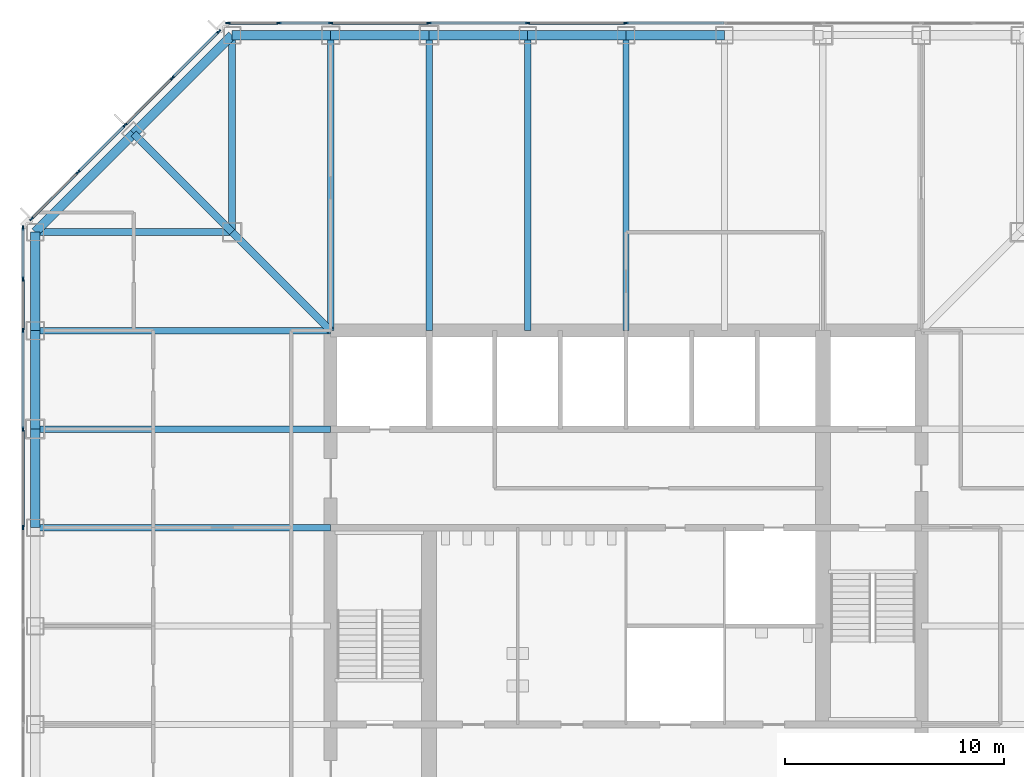
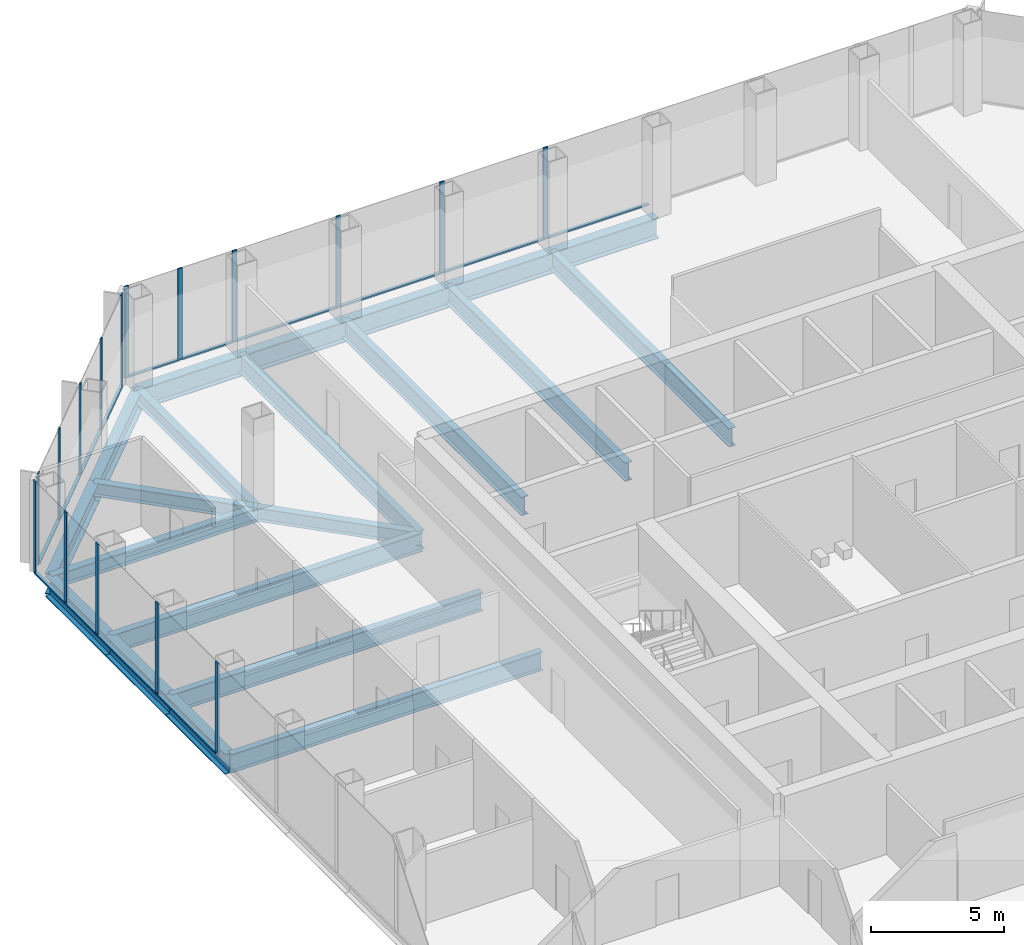
# One storey, part 5 of 12: 30 members, 21 beams, 3 elements without a shape of their own.
"""IFC4 building model written with IfcOpenShell, lengths in metres."""

from ifc_helpers import new_model, si_unit, direction, frame, origin, origin_2d, place, context, subcontext, project, spatial, rectangle, i_section, extrude, material, material_profile, profile_set, type_object, element, aggregate, save


model = new_model("IFC4")

# Units and contexts
model_context = context("Model", 3, precision=1e-05, world=origin(), true_north=direction((0.0, 1.0)))
body_context = subcontext(model_context, "Body", "Model", "MODEL_VIEW")
ifc_project = project(units=[si_unit("LENGTHUNIT", "METRE"), si_unit("AREAUNIT", "SQUARE_METRE"), si_unit("VOLUMEUNIT", "CUBIC_METRE"), si_unit("PLANEANGLEUNIT", "RADIAN"), si_unit("MASSUNIT", "GRAM", prefix="KILO")], contexts=[model_context])

# Site, building, storey
site_placement = place(None, origin())
site = spatial("IfcSite", under=ifc_project, at=site_placement, CompositionType="ELEMENT")
building_placement = place(site_placement, origin())
building = spatial("IfcBuilding", under=site, at=building_placement, Name="Corais Broadcast Tower", CompositionType="ELEMENT")
storey_placement = place(building_placement, frame((0.0, 0.0, 92.0)))
storey = spatial("IfcBuildingStorey", under=building, at=storey_placement, Name="L20", CompositionType="ELEMENT", Elevation=92.0)

# Beams
ifc_material_1 = material(Name="Steel ASTM A572 Grade 50", Category="steel")
ifc_material_profile_1 = material_profile(ifc_material_1, i_section(OverallWidth=0.323974609375, OverallDepth=0.611083984375, WebThickness=0.0126953125, FlangeThickness=0.01904296875, at=origin_2d()), Name="W610x155")
ifc_profile_set_1 = profile_set([ifc_material_profile_1], Name="Steel ASTM A572 Grade 50")
beam_type_1 = type_object("IfcBeamType", Name="Chamfer tie W610x155", PredefinedType="BEAM", material=ifc_profile_set_1)
beam_1_placement = place(storey_placement, frame((4.5, 49.5, -0.465576171875), z_axis=(0.707106781187, -0.707106781187, 0.0), x_axis=(0.707106781187, 0.707106781187, 0.0)))
element("IfcBeam", 1, at=beam_1_placement, inside=storey, type_object=beam_type_1, Name="B5 M/4 to L/5", PredefinedType="BEAM", context=body_context, shape_type="SweptSolid", body=[
    extrude(i_section(OverallWidth=0.323974609375, OverallDepth=0.611083984375, WebThickness=0.0126953125, FlangeThickness=0.01904296875, at=origin_2d()), origin(), (0.0, 0.0, 1.0), 6.364013671875),
])
ifc_material_2 = material(Name="Steel ASTM A572 Grade 50", Category="steel")
ifc_material_profile_2 = material_profile(ifc_material_2, i_section(OverallWidth=0.323974609375, OverallDepth=0.611083984375, WebThickness=0.0126953125, FlangeThickness=0.01904296875, at=origin_2d()), Name="W610x155")
ifc_profile_set_2 = profile_set([ifc_material_profile_2], Name="Steel ASTM A572 Grade 50")
beam_type_2 = type_object("IfcBeamType", Name="Corner diagonal W610x155", PredefinedType="BEAM", material=ifc_profile_set_2)
beam_2_placement = place(storey_placement, frame((9.0, 45.0, -0.465576171875), z_axis=(0.707106781187, -0.707106781187, 0.0), x_axis=(0.707106781187, 0.707106781187, 0.0)))
element("IfcBeam", 2, at=beam_2_placement, inside=storey, type_object=beam_type_2, Name="B6 L/5 to K/6", PredefinedType="BEAM", context=body_context, shape_type="SweptSolid", body=[
    extrude(i_section(OverallWidth=0.323974609375, OverallDepth=0.611083984375, WebThickness=0.0126953125, FlangeThickness=0.01904296875, at=origin_2d()), origin(), (0.0, 0.0, 1.0), 6.364013671875),
])
ifc_material_3 = material(Name="Steel ASTM A572 Grade 50", Category="steel")
ifc_material_profile_3 = material_profile(ifc_material_3, i_section(OverallWidth=0.323974609375, OverallDepth=0.611083984375, WebThickness=0.0126953125, FlangeThickness=0.01904296875, at=origin_2d()), Name="W610x155")
ifc_profile_set_3 = profile_set([ifc_material_profile_3], Name="Steel ASTM A572 Grade 50")
beam_type_3 = type_object("IfcBeamType", Name="Corner girder W610x155", PredefinedType="BEAM", material=ifc_profile_set_3)
for number, where, z_axis, x_axis, name in (
    (3, (0.0, 45.0, -0.465576171875), (1.0, 0.0, 0.0), (0.0, 1.0, 0.0), "B4 L/3 to L/5"),
    (4, (9.0, 54.0, -0.465576171875), (0.0, -1.0, 0.0), (1.0, 0.0, 0.0), "B4 N/5 to L/5"),
):
    element("IfcBeam", number, at=place(storey_placement, frame(where, z_axis=z_axis, x_axis=x_axis)), inside=storey, type_object=beam_type_3, Name=name, PredefinedType="BEAM", context=body_context, shape_type="SweptSolid", body=[
        extrude(i_section(OverallWidth=0.323974609375, OverallDepth=0.611083984375, WebThickness=0.0126953125, FlangeThickness=0.01904296875, at=origin_2d()), origin(), (0.0, 0.0, 1.0), 9.0),
    ])
ifc_material_4 = material(Name="Steel ASTM A572 Grade 50", Category="steel")
ifc_material_profile_4 = material_profile(ifc_material_4, i_section(OverallWidth=0.2939453125, OverallDepth=0.85107421875, WebThickness=0.01611328125, FlangeThickness=0.02685546875, at=origin_2d()), Name="W840x226")
ifc_profile_set_4 = profile_set([ifc_material_profile_4], Name="Steel ASTM A572 Grade 50")
beam_type_4 = type_object("IfcBeamType", Name="Floor beam W840x226", PredefinedType="BEAM", material=ifc_profile_set_4)
for number, where, z_axis, x_axis, name in (
    (5, (0.0, 31.5, -0.58544921875), (1.0, 0.0, 0.0), (0.0, 1.0, 0.0), "B1 H/3 to H/6"),
    (6, (0.0, 36.0, -0.58544921875), (1.0, 0.0, 0.0), (0.0, 1.0, 0.0), "B1 J/3 to J/6"),
    (7, (0.0, 40.5, -0.58544921875), (1.0, 0.0, 0.0), (0.0, 1.0, 0.0), "B1 K/3 to K/6"),
    (8, (13.5, 54.0, -0.58544921875), (0.0, -1.0, 0.0), (1.0, 0.0, 0.0), "B1 N/6 to K/6"),
    (9, (18.0, 54.0, -0.58544921875), (0.0, -1.0, 0.0), (1.0, 0.0, 0.0), "B1 N/7 to K/7"),
    (10, (22.5, 54.0, -0.58544921875), (0.0, -1.0, 0.0), (1.0, 0.0, 0.0), "B1 N/8 to K/8"),
    (11, (27.0, 54.0, -0.58544921875), (0.0, -1.0, 0.0), (1.0, 0.0, 0.0), "B1 N/9 to K/9"),
):
    element("IfcBeam", number, at=place(storey_placement, frame(where, z_axis=z_axis, x_axis=x_axis)), inside=storey, type_object=beam_type_4, Name=name, PredefinedType="BEAM", context=body_context, shape_type="SweptSolid", body=[
        extrude(i_section(OverallWidth=0.2939453125, OverallDepth=0.85107421875, WebThickness=0.01611328125, FlangeThickness=0.02685546875, at=origin_2d()), origin(), (0.0, 0.0, 1.0), 13.5),
    ])

# Curtain wall, members
ifc_material_5 = material(Name="Aluminium and glass", Category="aluminium")
curtain_wall_type = type_object("IfcCurtainWallType", Name="Unitised fritted curtain wall CW1", PredefinedType="NOTDEFINED", material=ifc_material_5)
curtain_wall_1_placement = place(storey_placement, origin())
curtain_wall_1 = element("IfcCurtainWall", 12, at=curtain_wall_1_placement, inside=storey, type_object=curtain_wall_type, Name="CW1 curtain wall L20 2", PredefinedType="NOTDEFINED")
ifc_material_6 = material(Name="Aluminium 6063-T6", Category="aluminium")
ifc_material_profile_5 = material_profile(ifc_material_6, rectangle(XDim=0.06494140625, YDim=0.199951171875, at=origin_2d()), Name="Mullion CW1 65x200")
ifc_profile_set_5 = profile_set([ifc_material_profile_5], Name="Aluminium 6063-T6")
member_type_1 = type_object("IfcMemberType", Name="Mullion CW1 65x200", PredefinedType="MULLION", material=ifc_profile_set_5)
member_1_placement = place(storey_placement, frame((-0.550048828125, 31.5, 0.0), z_axis=(0.0, 0.0, 1.0), x_axis=(-1.0, 0.0, 0.0)))
member_1 = element("IfcMember", 13, at=member_1_placement, type_object=member_type_1, Name="CW1 mullion 7", PredefinedType="MULLION", context=body_context, shape_type="SweptSolid", body=[
    extrude(rectangle(XDim=0.06494140625, YDim=0.199951171875, at=origin_2d()), origin(), (0.0, 0.0, 1.0), 4.199951171875),
])
member_2_placement = place(storey_placement, frame((-0.550048828125, 36.0, 0.0), z_axis=(0.0, 0.0, 1.0), x_axis=(-1.0, 0.0, 0.0)))
member_2 = element("IfcMember", 14, at=member_2_placement, type_object=member_type_1, Name="CW1 mullion 8", PredefinedType="MULLION", context=body_context, shape_type="SweptSolid", body=[
    extrude(rectangle(XDim=0.06494140625, YDim=0.199951171875, at=origin_2d()), origin(), (0.0, 0.0, 1.0), 4.199951171875),
])
member_3_placement = place(storey_placement, frame((-0.550048828125, 40.5, 0.0), z_axis=(0.0, 0.0, 1.0), x_axis=(-1.0, 0.0, 0.0)))
member_3 = element("IfcMember", 15, at=member_3_placement, type_object=member_type_1, Name="CW1 mullion 9", PredefinedType="MULLION", context=body_context, shape_type="SweptSolid", body=[
    extrude(rectangle(XDim=0.06494140625, YDim=0.199951171875, at=origin_2d()), origin(), (0.0, 0.0, 1.0), 4.199951171875),
])
member_4_placement = place(storey_placement, frame((-0.550048828125, 42.864013671875, 0.0), z_axis=(0.0, 0.0, 1.0), x_axis=(-1.0, 0.0, 0.0)))
member_4 = element("IfcMember", 16, at=member_4_placement, type_object=member_type_1, Name="CW1 mullion 10", PredefinedType="MULLION", context=body_context, shape_type="SweptSolid", body=[
    extrude(rectangle(XDim=0.06494140625, YDim=0.199951171875, at=origin_2d()), origin(), (0.0, 0.0, 1.0), 4.199951171875),
])
member_5_placement = place(storey_placement, frame((-0.550048828125, 45.1953125, 0.0), z_axis=(0.0, 0.0, 1.0), x_axis=(-1.0, 0.0, 0.0)))
member_5 = element("IfcMember", 17, at=member_5_placement, type_object=member_type_1, Name="CW1 mullion 11", PredefinedType="MULLION", context=body_context, shape_type="SweptSolid", body=[
    extrude(rectangle(XDim=0.06494140625, YDim=0.199951171875, at=origin_2d()), origin(), (0.0, 0.0, 1.0), 4.199951171875),
])

curtain_wall_2_placement = place(storey_placement, origin())
curtain_wall_2 = element("IfcCurtainWall", 18, at=curtain_wall_2_placement, inside=storey, type_object=curtain_wall_type, Name="CW1 curtain wall L20 3", PredefinedType="NOTDEFINED")
member_6_placement = place(storey_placement, frame((-0.17333984375, 45.6044921875, 0.0), z_axis=(0.0, 0.0, 1.0), x_axis=(-0.707106781187, 0.707106781187, 0.0)))
member_6 = element("IfcMember", 19, at=member_6_placement, type_object=member_type_1, Name="CW1 mullion 1", PredefinedType="MULLION", context=body_context, shape_type="SweptSolid", body=[
    extrude(rectangle(XDim=0.06494140625, YDim=0.199951171875, at=origin_2d()), origin(), (0.0, 0.0, 1.0), 4.199951171875),
])
member_7_placement = place(storey_placement, frame((1.957275390625, 47.735107421875, 0.0), z_axis=(0.0, 0.0, 1.0), x_axis=(-0.707106781187, 0.707106781187, 0.0)))
member_7 = element("IfcMember", 20, at=member_7_placement, type_object=member_type_1, Name="CW1 mullion 2", PredefinedType="MULLION", context=body_context, shape_type="SweptSolid", body=[
    extrude(rectangle(XDim=0.06494140625, YDim=0.199951171875, at=origin_2d()), origin(), (0.0, 0.0, 1.0), 4.199951171875),
])
member_8_placement = place(storey_placement, frame((4.111083984375, 49.888916015625, 0.0), z_axis=(0.0, 0.0, 1.0), x_axis=(-0.707106781187, 0.707106781187, 0.0)))
member_8 = element("IfcMember", 21, at=member_8_placement, type_object=member_type_1, Name="CW1 mullion 3", PredefinedType="MULLION", context=body_context, shape_type="SweptSolid", body=[
    extrude(rectangle(XDim=0.06494140625, YDim=0.199951171875, at=origin_2d()), origin(), (0.0, 0.0, 1.0), 4.199951171875),
])
member_9_placement = place(storey_placement, frame((6.264892578125, 52.042724609375, 0.0), z_axis=(0.0, 0.0, 1.0), x_axis=(-0.707106781187, 0.707106781187, 0.0)))
member_9 = element("IfcMember", 22, at=member_9_placement, type_object=member_type_1, Name="CW1 mullion 4", PredefinedType="MULLION", context=body_context, shape_type="SweptSolid", body=[
    extrude(rectangle(XDim=0.06494140625, YDim=0.199951171875, at=origin_2d()), origin(), (0.0, 0.0, 1.0), 4.199951171875),
])
member_10_placement = place(storey_placement, frame((8.3955078125, 54.17333984375, 0.0), z_axis=(0.0, 0.0, 1.0), x_axis=(-0.707106781187, 0.707106781187, 0.0)))
member_10 = element("IfcMember", 23, at=member_10_placement, type_object=member_type_1, Name="CW1 mullion 5", PredefinedType="MULLION", context=body_context, shape_type="SweptSolid", body=[
    extrude(rectangle(XDim=0.06494140625, YDim=0.199951171875, at=origin_2d()), origin(), (0.0, 0.0, 1.0), 4.199951171875),
])

curtain_wall_3_placement = place(storey_placement, origin())
curtain_wall_3 = element("IfcCurtainWall", 24, at=curtain_wall_3_placement, inside=storey, type_object=curtain_wall_type, Name="CW1 curtain wall L20 4", PredefinedType="NOTDEFINED")
member_11_placement = place(storey_placement, frame((8.8046875, 54.550048828125, 0.0), z_axis=(0.0, 0.0, 1.0), x_axis=(0.0, 1.0, 0.0)))
member_11 = element("IfcMember", 25, at=member_11_placement, type_object=member_type_1, Name="CW1 mullion 1", PredefinedType="MULLION", context=body_context, shape_type="SweptSolid", body=[
    extrude(rectangle(XDim=0.06494140625, YDim=0.199951171875, at=origin_2d()), origin(), (0.0, 0.0, 1.0), 4.199951171875),
])
member_12_placement = place(storey_placement, frame((11.135986328125, 54.550048828125, 0.0), z_axis=(0.0, 0.0, 1.0), x_axis=(0.0, 1.0, 0.0)))
member_12 = element("IfcMember", 26, at=member_12_placement, type_object=member_type_1, Name="CW1 mullion 2", PredefinedType="MULLION", context=body_context, shape_type="SweptSolid", body=[
    extrude(rectangle(XDim=0.06494140625, YDim=0.199951171875, at=origin_2d()), origin(), (0.0, 0.0, 1.0), 4.199951171875),
])
member_13_placement = place(storey_placement, frame((13.5, 54.550048828125, 0.0), z_axis=(0.0, 0.0, 1.0), x_axis=(0.0, 1.0, 0.0)))
member_13 = element("IfcMember", 27, at=member_13_placement, type_object=member_type_1, Name="CW1 mullion 3", PredefinedType="MULLION", context=body_context, shape_type="SweptSolid", body=[
    extrude(rectangle(XDim=0.06494140625, YDim=0.199951171875, at=origin_2d()), origin(), (0.0, 0.0, 1.0), 4.199951171875),
])
member_14_placement = place(storey_placement, frame((18.0, 54.550048828125, 0.0), z_axis=(0.0, 0.0, 1.0), x_axis=(0.0, 1.0, 0.0)))
member_14 = element("IfcMember", 28, at=member_14_placement, type_object=member_type_1, Name="CW1 mullion 4", PredefinedType="MULLION", context=body_context, shape_type="SweptSolid", body=[
    extrude(rectangle(XDim=0.06494140625, YDim=0.199951171875, at=origin_2d()), origin(), (0.0, 0.0, 1.0), 4.199951171875),
])
member_15_placement = place(storey_placement, frame((22.5, 54.550048828125, 0.0), z_axis=(0.0, 0.0, 1.0), x_axis=(0.0, 1.0, 0.0)))
member_15 = element("IfcMember", 29, at=member_15_placement, type_object=member_type_1, Name="CW1 mullion 5", PredefinedType="MULLION", context=body_context, shape_type="SweptSolid", body=[
    extrude(rectangle(XDim=0.06494140625, YDim=0.199951171875, at=origin_2d()), origin(), (0.0, 0.0, 1.0), 4.199951171875),
])
member_16_placement = place(storey_placement, frame((27.0, 54.550048828125, 0.0), z_axis=(0.0, 0.0, 1.0), x_axis=(0.0, 1.0, 0.0)))
member_16 = element("IfcMember", 30, at=member_16_placement, type_object=member_type_1, Name="CW1 mullion 6", PredefinedType="MULLION", context=body_context, shape_type="SweptSolid", body=[
    extrude(rectangle(XDim=0.06494140625, YDim=0.199951171875, at=origin_2d()), origin(), (0.0, 0.0, 1.0), 4.199951171875),
])

# Beams
ifc_material_7 = material(Name="Steel ASTM A572 Grade 50", Category="steel")
ifc_material_profile_6 = material_profile(ifc_material_7, i_section(OverallWidth=0.4189453125, OverallDepth=0.94189453125, WebThickness=0.022216796875, FlangeThickness=0.03662109375, at=origin_2d()), Name="W920x345")
ifc_profile_set_6 = profile_set([ifc_material_profile_6], Name="Steel ASTM A572 Grade 50")
beam_type_5 = type_object("IfcBeamType", Name="Transfer spandrel W920x345", PredefinedType="BEAM", material=ifc_profile_set_6)
for number, where, z_axis, x_axis, name in (
    (31, (0.0, 36.0, -0.631103515625), (0.0, -1.0, 0.0), (1.0, 0.0, 0.0), "SB4 J/3 to H/3"),
    (32, (0.0, 40.5, -0.631103515625), (0.0, -1.0, 0.0), (1.0, 0.0, 0.0), "SB4 K/3 to J/3"),
    (33, (0.0, 45.0, -0.631103515625), (0.0, -1.0, 0.0), (1.0, 0.0, 0.0), "SB4 L/3 to K/3"),
    (34, (13.5, 54.0, -0.631103515625), (-1.0, 0.0, 0.0), (0.0, -1.0, 0.0), "SB4 N/6 to N/5"),
    (35, (18.0, 54.0, -0.631103515625), (-1.0, 0.0, 0.0), (0.0, -1.0, 0.0), "SB4 N/7 to N/6"),
    (36, (22.5, 54.0, -0.631103515625), (-1.0, 0.0, 0.0), (0.0, -1.0, 0.0), "SB4 N/8 to N/7"),
    (37, (27.0, 54.0, -0.631103515625), (-1.0, 0.0, 0.0), (0.0, -1.0, 0.0), "SB4 N/9 to N/8"),
    (38, (31.5, 54.0, -0.631103515625), (-1.0, 0.0, 0.0), (0.0, -1.0, 0.0), "SB4 N/10 to N/9"),
):
    element("IfcBeam", number, at=place(storey_placement, frame(where, z_axis=z_axis, x_axis=x_axis)), inside=storey, type_object=beam_type_5, Name=name, PredefinedType="BEAM", context=body_context, shape_type="SweptSolid", body=[
        extrude(i_section(OverallWidth=0.4189453125, OverallDepth=0.94189453125, WebThickness=0.022216796875, FlangeThickness=0.03662109375, at=origin_2d()), origin(), (0.0, 0.0, 1.0), 4.5),
    ])
for number, where, z_axis, x_axis, name in (
    (39, (4.5, 49.5, -0.631103515625), (-0.707106781187, -0.707106781187, 0.0), (0.707106781187, -0.707106781187, 0.0), "SB4 M/4 to L/3"),
    (40, (9.0, 54.0, -0.631103515625), (-0.707106781187, -0.707106781187, 0.0), (0.707106781187, -0.707106781187, 0.0), "SB4 N/5 to M/4"),
):
    element("IfcBeam", number, at=place(storey_placement, frame(where, z_axis=z_axis, x_axis=x_axis)), inside=storey, type_object=beam_type_5, Name=name, PredefinedType="BEAM", context=body_context, shape_type="SweptSolid", body=[
        extrude(i_section(OverallWidth=0.4189453125, OverallDepth=0.94189453125, WebThickness=0.022216796875, FlangeThickness=0.03662109375, at=origin_2d()), origin(), (0.0, 0.0, 1.0), 6.364013671875),
    ])

# Member
ifc_material_8 = material(Name="Aluminium 6063-T6", Category="aluminium")
ifc_material_profile_7 = material_profile(ifc_material_8, rectangle(XDim=0.139892578125, YDim=0.06494140625, at=origin_2d()), Name="Transom CW1 65x140")
ifc_profile_set_7 = profile_set([ifc_material_profile_7], Name="Aluminium 6063-T6")
member_type_2 = type_object("IfcMemberType", Name="Transom CW1 65x140", PredefinedType="USERDEFINED", material=ifc_profile_set_7)
member_17_placement = place(storey_placement, frame((-0.550048828125, 31.532470703125, 0.032470703125), z_axis=(0.0, 1.0, 0.0), x_axis=(-1.0, 0.0, 0.0)))
member_17 = element("IfcMember", 41, at=member_17_placement, type_object=member_type_2, Name="CW1 transom 7.1", ObjectType="TRANSOM", PredefinedType="USERDEFINED", context=body_context, shape_type="SweptSolid", body=[
    extrude(rectangle(XDim=0.139892578125, YDim=0.06494140625, at=origin_2d()), origin(), (0.0, 0.0, 1.0), 4.43505859375),
])

member_18_placement = place(storey_placement, frame((-0.550048828125, 36.032470703125, 0.032470703125), z_axis=(0.0, 1.0, 0.0), x_axis=(-1.0, 0.0, 0.0)))
member_18 = element("IfcMember", 42, at=member_18_placement, type_object=member_type_2, Name="CW1 transom 8.1", ObjectType="TRANSOM", PredefinedType="USERDEFINED", context=body_context, shape_type="SweptSolid", body=[
    extrude(rectangle(XDim=0.139892578125, YDim=0.06494140625, at=origin_2d()), origin(), (0.0, 0.0, 1.0), 4.43505859375),
])

member_19_placement = place(storey_placement, frame((-0.550048828125, 40.532470703125, 0.032470703125), z_axis=(0.0, 1.0, 0.0), x_axis=(-1.0, 0.0, 0.0)))
member_19 = element("IfcMember", 43, at=member_19_placement, type_object=member_type_2, Name="CW1 transom 9.1", ObjectType="TRANSOM", PredefinedType="USERDEFINED", context=body_context, shape_type="SweptSolid", body=[
    extrude(rectangle(XDim=0.139892578125, YDim=0.06494140625, at=origin_2d()), origin(), (0.0, 0.0, 1.0), 2.298828125),
])

member_20_placement = place(storey_placement, frame((-0.550048828125, 42.896484375, 0.032470703125), z_axis=(0.0, 1.0, 0.0), x_axis=(-1.0, 0.0, 0.0)))
member_20 = element("IfcMember", 44, at=member_20_placement, type_object=member_type_2, Name="CW1 transom 10.1", ObjectType="TRANSOM", PredefinedType="USERDEFINED", context=body_context, shape_type="SweptSolid", body=[
    extrude(rectangle(XDim=0.139892578125, YDim=0.06494140625, at=origin_2d()), origin(), (0.0, 0.0, 1.0), 2.266357421875),
])

aggregate(curtain_wall_1, [member_1, member_2, member_3, member_4, member_5, member_17, member_18, member_19, member_20])

member_21_placement = place(storey_placement, frame((-0.150390625, 45.62744140625, 0.032470703125), z_axis=(0.707106781187, 0.707106781187, 0.0), x_axis=(-0.707106781187, 0.707106781187, 0.0)))
member_21 = element("IfcMember", 45, at=member_21_placement, type_object=member_type_2, Name="CW1 transom 1.1", ObjectType="TRANSOM", PredefinedType="USERDEFINED", context=body_context, shape_type="SweptSolid", body=[
    extrude(rectangle(XDim=0.139892578125, YDim=0.06494140625, at=origin_2d()), origin(), (0.0, 0.0, 1.0), 2.9482421875),
])

member_22_placement = place(storey_placement, frame((1.980224609375, 47.758056640625, 0.032470703125), z_axis=(0.707106781187, 0.707106781187, 0.0), x_axis=(-0.707106781187, 0.707106781187, 0.0)))
member_22 = element("IfcMember", 46, at=member_22_placement, type_object=member_type_2, Name="CW1 transom 2.1", ObjectType="TRANSOM", PredefinedType="USERDEFINED", context=body_context, shape_type="SweptSolid", body=[
    extrude(rectangle(XDim=0.139892578125, YDim=0.06494140625, at=origin_2d()), origin(), (0.0, 0.0, 1.0), 2.98095703125),
])

member_23_placement = place(storey_placement, frame((4.134033203125, 49.911865234375, 0.032470703125), z_axis=(0.707106781187, 0.707106781187, 0.0), x_axis=(-0.707106781187, 0.707106781187, 0.0)))
member_23 = element("IfcMember", 47, at=member_23_placement, type_object=member_type_2, Name="CW1 transom 3.1", ObjectType="TRANSOM", PredefinedType="USERDEFINED", context=body_context, shape_type="SweptSolid", body=[
    extrude(rectangle(XDim=0.139892578125, YDim=0.06494140625, at=origin_2d()), origin(), (0.0, 0.0, 1.0), 2.98095703125),
])

member_24_placement = place(storey_placement, frame((6.287841796875, 52.065673828125, 0.032470703125), z_axis=(0.707106781187, 0.707106781187, 0.0), x_axis=(-0.707106781187, 0.707106781187, 0.0)))
member_24 = element("IfcMember", 48, at=member_24_placement, type_object=member_type_2, Name="CW1 transom 4.1", ObjectType="TRANSOM", PredefinedType="USERDEFINED", context=body_context, shape_type="SweptSolid", body=[
    extrude(rectangle(XDim=0.139892578125, YDim=0.06494140625, at=origin_2d()), origin(), (0.0, 0.0, 1.0), 2.9482421875),
])

aggregate(curtain_wall_2, [member_6, member_7, member_8, member_9, member_10, member_21, member_22, member_23, member_24])

member_25_placement = place(storey_placement, frame((8.837158203125, 54.550048828125, 0.032470703125), z_axis=(1.0, 0.0, 0.0), x_axis=(0.0, 1.0, 0.0)))
member_25 = element("IfcMember", 49, at=member_25_placement, type_object=member_type_2, Name="CW1 transom 1.1", ObjectType="TRANSOM", PredefinedType="USERDEFINED", context=body_context, shape_type="SweptSolid", body=[
    extrude(rectangle(XDim=0.139892578125, YDim=0.06494140625, at=origin_2d()), origin(), (0.0, 0.0, 1.0), 2.266357421875),
])

member_26_placement = place(storey_placement, frame((11.168701171875, 54.550048828125, 0.032470703125), z_axis=(1.0, 0.0, 0.0), x_axis=(0.0, 1.0, 0.0)))
member_26 = element("IfcMember", 50, at=member_26_placement, type_object=member_type_2, Name="CW1 transom 2.1", ObjectType="TRANSOM", PredefinedType="USERDEFINED", context=body_context, shape_type="SweptSolid", body=[
    extrude(rectangle(XDim=0.139892578125, YDim=0.06494140625, at=origin_2d()), origin(), (0.0, 0.0, 1.0), 2.298828125),
])

member_27_placement = place(storey_placement, frame((13.532470703125, 54.550048828125, 0.032470703125), z_axis=(1.0, 0.0, 0.0), x_axis=(0.0, 1.0, 0.0)))
member_27 = element("IfcMember", 51, at=member_27_placement, type_object=member_type_2, Name="CW1 transom 3.1", ObjectType="TRANSOM", PredefinedType="USERDEFINED", context=body_context, shape_type="SweptSolid", body=[
    extrude(rectangle(XDim=0.139892578125, YDim=0.06494140625, at=origin_2d()), origin(), (0.0, 0.0, 1.0), 4.43505859375),
])

member_28_placement = place(storey_placement, frame((18.032470703125, 54.550048828125, 0.032470703125), z_axis=(1.0, 0.0, 0.0), x_axis=(0.0, 1.0, 0.0)))
member_28 = element("IfcMember", 52, at=member_28_placement, type_object=member_type_2, Name="CW1 transom 4.1", ObjectType="TRANSOM", PredefinedType="USERDEFINED", context=body_context, shape_type="SweptSolid", body=[
    extrude(rectangle(XDim=0.139892578125, YDim=0.06494140625, at=origin_2d()), origin(), (0.0, 0.0, 1.0), 4.43505859375),
])

member_29_placement = place(storey_placement, frame((22.532470703125, 54.550048828125, 0.032470703125), z_axis=(1.0, 0.0, 0.0), x_axis=(0.0, 1.0, 0.0)))
member_29 = element("IfcMember", 53, at=member_29_placement, type_object=member_type_2, Name="CW1 transom 5.1", ObjectType="TRANSOM", PredefinedType="USERDEFINED", context=body_context, shape_type="SweptSolid", body=[
    extrude(rectangle(XDim=0.139892578125, YDim=0.06494140625, at=origin_2d()), origin(), (0.0, 0.0, 1.0), 4.43505859375),
])

member_30_placement = place(storey_placement, frame((27.032470703125, 54.550048828125, 0.032470703125), z_axis=(1.0, 0.0, 0.0), x_axis=(0.0, 1.0, 0.0)))
member_30 = element("IfcMember", 54, at=member_30_placement, type_object=member_type_2, Name="CW1 transom 6.1", ObjectType="TRANSOM", PredefinedType="USERDEFINED", context=body_context, shape_type="SweptSolid", body=[
    extrude(rectangle(XDim=0.139892578125, YDim=0.06494140625, at=origin_2d()), origin(), (0.0, 0.0, 1.0), 4.43505859375),
])

aggregate(curtain_wall_3, [member_11, member_12, member_13, member_14, member_15, member_16, member_25, member_26, member_27, member_28, member_29, member_30])

save(model, "model.ifc")
